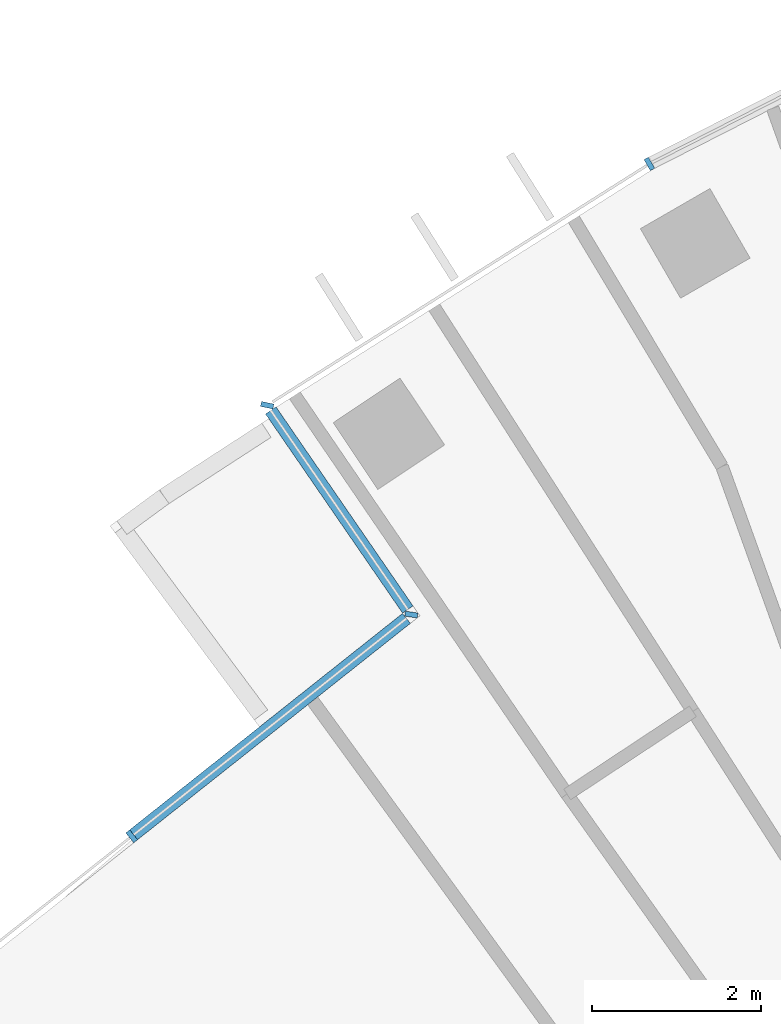
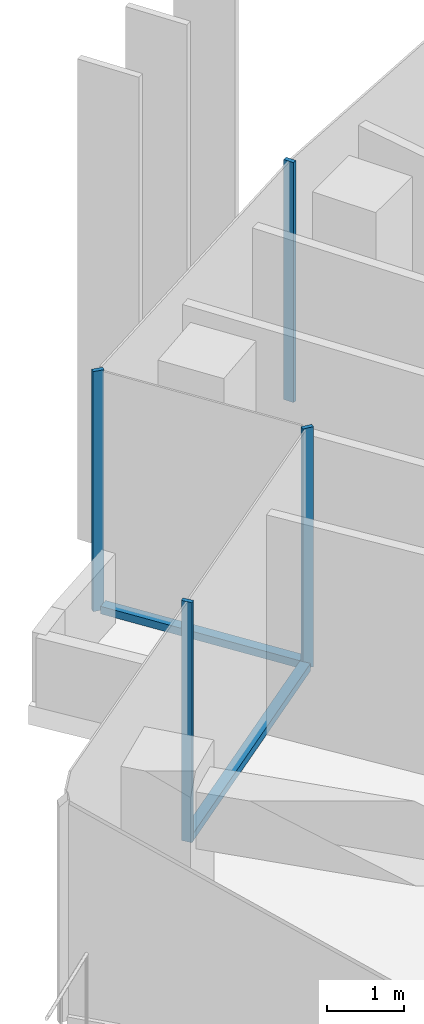
# One storey, part 3 of 19: 6 members, 3 elements without a shape of their own.
"""IFC4 building model written with IfcOpenShell, lengths in metres."""

from ifc_helpers import new_model, si_unit, direction, frame, origin, origin_2d, place, context, subcontext, project, spatial, rectangle, extrude, material, layer, layer_set, material_profile, profile_set, type_object, element, aggregate, save


model = new_model("IFC4")

# Units and contexts
model_context = context("Model", 3, precision=1e-05, world=origin(), true_north=direction((0.0, 1.0)))
body_context = subcontext(model_context, "Body", "Model", "MODEL_VIEW")
ifc_project = project(units=[si_unit("LENGTHUNIT", "METRE"), si_unit("AREAUNIT", "SQUARE_METRE"), si_unit("VOLUMEUNIT", "CUBIC_METRE"), si_unit("PLANEANGLEUNIT", "RADIAN"), si_unit("MASSUNIT", "GRAM", prefix="KILO")], contexts=[model_context])

# Site, building, storey
site_placement = place(None, origin())
site = spatial("IfcSite", under=ifc_project, at=site_placement, CompositionType="ELEMENT")
building_placement = place(site_placement, origin())
building = spatial("IfcBuilding", under=site, at=building_placement, Name="Stone Belt Terrace Tower", CompositionType="ELEMENT")
storey_placement = place(building_placement, frame((0.0, 0.0, 227.60009765625)))
storey = spatial("IfcBuildingStorey", under=building, at=storey_placement, Name="L55", CompositionType="ELEMENT", Elevation=227.60009765625)

# Curtain wall, member
ifc_material = material(Name="Aluminium 6063-T6 anodised frame", Category="aluminium")
ifc_layer_1 = layer(ifc_material, 0.14990234375)
ifc_layer_set_1 = layer_set([ifc_layer_1], Name="CW-A unitised convex-face curtain wall")
curtain_wall_type_1 = type_object("IfcCurtainWallType", Name="CW-A unitised convex-face curtain wall", PredefinedType="NOTDEFINED", material=ifc_layer_set_1)
curtain_wall_1_placement = place(storey_placement, origin())
curtain_wall_1 = element("IfcCurtainWall", 1, at=curtain_wall_1_placement, inside=storey, type_object=curtain_wall_type_1, Name="CW-A convex face L55", PredefinedType="NOTDEFINED")
ifc_material_profile_1 = material_profile(ifc_material, rectangle(XDim=0.14990234375, YDim=0.06005859375, at=origin_2d()), Name="Aluminium 6063-T6 60x150")
ifc_profile_set_1 = profile_set([ifc_material_profile_1], Name="Aluminium 6063-T6 anodised frame")
member_type_1 = type_object("IfcMemberType", Name="CW-A mullion 60 x 150", PredefinedType="MULLION", material=ifc_profile_set_1)
member_1_placement = place(storey_placement, frame((-33.287109375, 57.656005859375, 0.0), z_axis=(0.0, 0.0, 1.0), x_axis=(0.4944743851, -0.869192201116, 0.0)))
member_1 = element("IfcMember", 2, at=member_1_placement, type_object=member_type_1, Name="CW-A mullion 14", PredefinedType="MULLION", context=body_context, shape_type="SweptSolid", body=[
    extrude(rectangle(XDim=0.14990234375, YDim=0.06005859375, at=origin_2d()), origin(), (0.0, 0.0, 1.0), 3.7998046875),
])
aggregate(curtain_wall_1, [member_1])

ifc_layer_2 = layer(ifc_material, 0.14990234375)
ifc_layer_set_2 = layer_set([ifc_layer_2], Name="CW-C stick curtain wall, horn ends and notches")
curtain_wall_type_2 = type_object("IfcCurtainWallType", Name="CW-C stick curtain wall, horn ends and notches", PredefinedType="NOTDEFINED", material=ifc_layer_set_2)
curtain_wall_2_placement = place(storey_placement, origin())
curtain_wall_2 = element("IfcCurtainWall", 3, at=curtain_wall_2_placement, inside=storey, type_object=curtain_wall_type_2, Name="CW-C notch face L55", PredefinedType="NOTDEFINED")
ifc_material_profile_2 = material_profile(ifc_material, rectangle(XDim=0.14990234375, YDim=0.06005859375, at=origin_2d()), Name="Aluminium 6063-T6 60x150")
ifc_profile_set_2 = profile_set([ifc_material_profile_2], Name="Aluminium 6063-T6 anodised frame")
member_type_2 = type_object("IfcMemberType", Name="CW-C mullion 60 x 150", PredefinedType="MULLION", material=ifc_profile_set_2)
member_2_placement = place(storey_placement, frame((-37.810546875, 54.799560546875, 0.0), z_axis=(0.0, 0.0, 1.0), x_axis=(0.97959381054, -0.200987478095, 0.0)))
member_2 = element("IfcMember", 4, at=member_2_placement, type_object=member_type_2, Name="CW-C mullion 1", PredefinedType="MULLION", context=body_context, shape_type="SweptSolid", body=[
    extrude(rectangle(XDim=0.14990234375, YDim=0.06005859375, at=origin_2d()), origin(), (0.0, 0.0, 1.0), 3.7998046875),
])

# Curtain wall, members
curtain_wall_3_placement = place(storey_placement, origin())
curtain_wall_3 = element("IfcCurtainWall", 5, at=curtain_wall_3_placement, inside=storey, type_object=curtain_wall_type_2, Name="CW-C notch face L55", PredefinedType="NOTDEFINED")
member_3_placement = place(storey_placement, frame((-36.105224609375, 52.32177734375, 0.0), z_axis=(0.0, 0.0, 1.0), x_axis=(0.988961533192, -0.148172486877, 0.0)))
member_3 = element("IfcMember", 6, at=member_3_placement, type_object=member_type_2, Name="CW-C mullion 1", PredefinedType="MULLION", context=body_context, shape_type="SweptSolid", body=[
    extrude(rectangle(XDim=0.14990234375, YDim=0.06005859375, at=origin_2d()), origin(), (0.0, 0.0, 1.0), 3.7998046875),
])
member_4_placement = place(storey_placement, frame((-39.414306640625, 49.697265625, 0.0), z_axis=(0.0, 0.0, 1.0), x_axis=(0.621387727874, -0.783503217382, 0.0)))
member_4 = element("IfcMember", 7, at=member_4_placement, type_object=member_type_2, Name="CW-C mullion 2", PredefinedType="MULLION", context=body_context, shape_type="SweptSolid", body=[
    extrude(rectangle(XDim=0.14990234375, YDim=0.06005859375, at=origin_2d()), origin(), (0.0, 0.0, 1.0), 3.7998046875),
])

# Member
ifc_material_profile_3 = material_profile(ifc_material, rectangle(XDim=0.14990234375, YDim=0.1201171875, at=origin_2d()), Name="Aluminium 6063-T6 150x120")
ifc_profile_set_3 = profile_set([ifc_material_profile_3], Name="Aluminium 6063-T6 anodised frame")
member_type_3 = type_object("IfcMemberType", Name="CW-C transom 120 x 150", PredefinedType="USERDEFINED", material=ifc_profile_set_3)
member_5_placement = place(storey_placement, frame((-37.768310546875, 54.738037109375, 0.059814453125), z_axis=(0.566970718961, -0.823737946097, 0.0), x_axis=(0.823737946097, 0.566970718961, 0.0)))
member_5 = element("IfcMember", 8, at=member_5_placement, type_object=member_type_3, Name="CW-C transom 1.1", ObjectType="TRANSOM", PredefinedType="USERDEFINED", context=body_context, shape_type="SweptSolid", body=[
    extrude(rectangle(XDim=0.14990234375, YDim=0.1201171875, at=origin_2d()), origin(), (0.0, 0.0, 1.0), 2.860107421875),
])

aggregate(curtain_wall_2, [member_2, member_5])

member_6_placement = place(storey_placement, frame((-36.16259765625, 52.2763671875, 0.059814453125), z_axis=(-0.783503647613, -0.621387185398, 0.0), x_axis=(0.621387185398, -0.783503647613, 0.0)))
member_6 = element("IfcMember", 9, at=member_6_placement, type_object=member_type_3, Name="CW-C transom 1.1", ObjectType="TRANSOM", PredefinedType="USERDEFINED", context=body_context, shape_type="SweptSolid", body=[
    extrude(rectangle(XDim=0.14990234375, YDim=0.1201171875, at=origin_2d()), origin(), (0.0, 0.0, 1.0), 4.120361328125),
])

aggregate(curtain_wall_3, [member_3, member_4, member_6])

save(model, "model.ifc")
